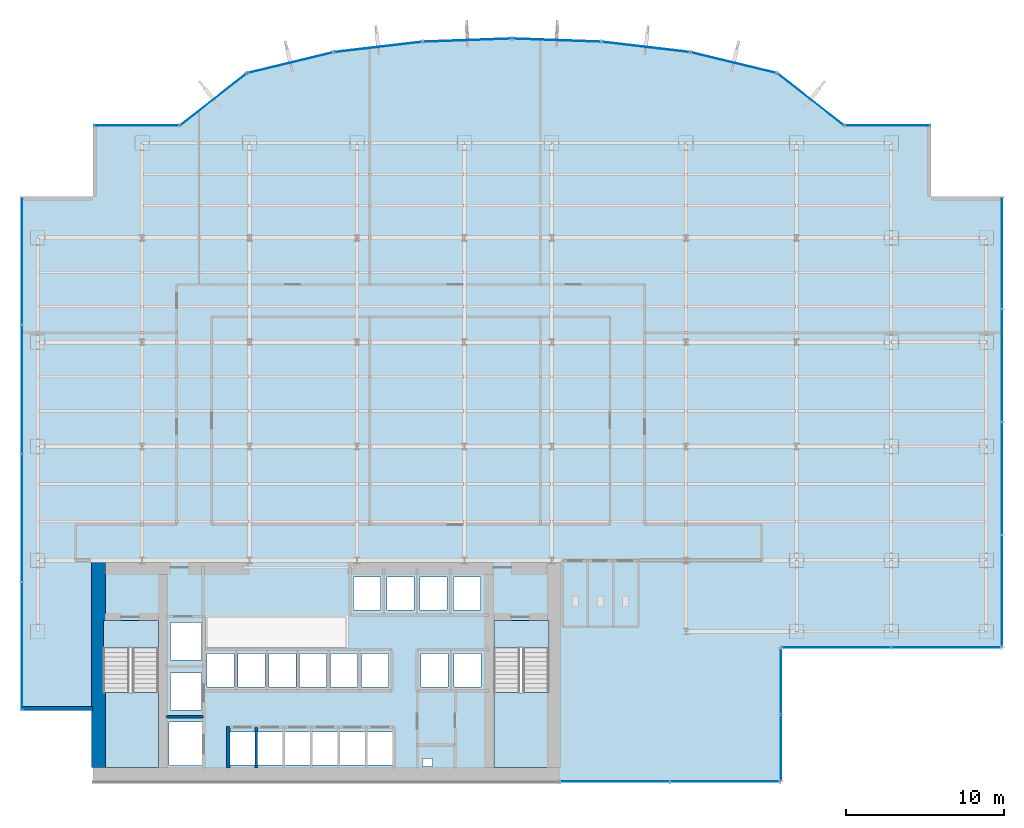
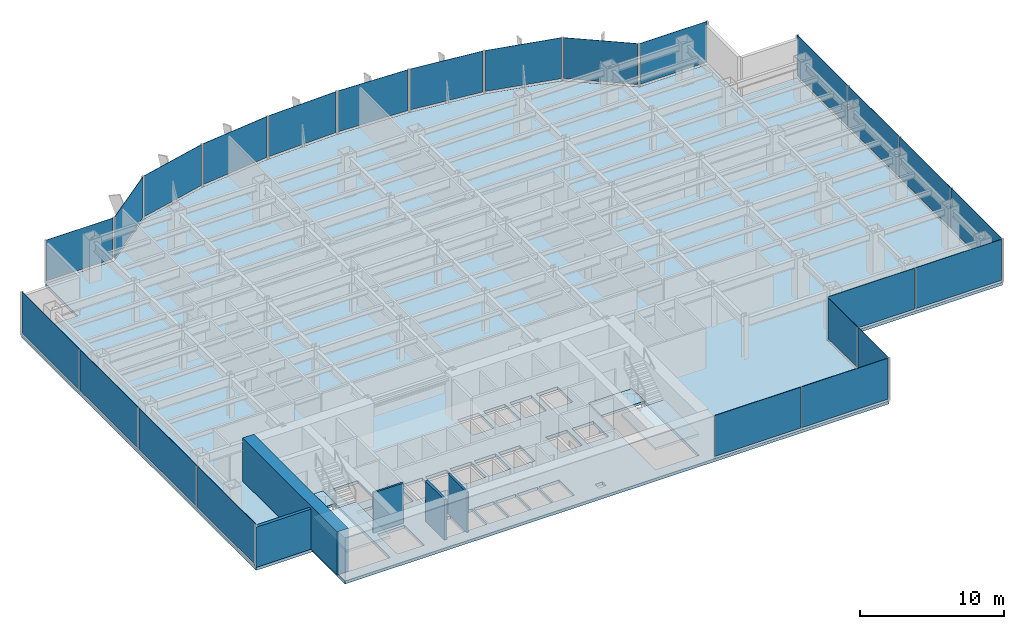
# One storey, part 16 of 22: 24 plates, 5 slabs, 5 walls, 17 elements without a shape of their own.
"""IFC4 building model written with IfcOpenShell, lengths in metres."""

from ifc_helpers import new_model, si_unit, derived_unit, direction, frame, frame_2d, origin, origin_2d, place, context, subcontext, project, spatial, polyline, rectangle, outline, extrude, source, transform, mapped, material, layer, layer_set, type_object, element, aggregate, save


model = new_model("IFC4")

# Units and contexts
model_context = context("Model", 3, precision=1e-05, world=origin(), true_north=direction((0.0, 1.0)))
body_context = subcontext(model_context, "Body", "Model", "MODEL_VIEW")
ifc_project = project(units=[si_unit("LENGTHUNIT", "METRE"), si_unit("AREAUNIT", "SQUARE_METRE"), si_unit("VOLUMEUNIT", "CUBIC_METRE"), si_unit("PLANEANGLEUNIT", "RADIAN"), si_unit("MASSUNIT", "GRAM", prefix="KILO"), derived_unit("THERMALTRANSMITTANCEUNIT", [(si_unit("POWERUNIT", "WATT"), 1), (si_unit("LENGTHUNIT", "METRE"), -2), (si_unit("THERMODYNAMICTEMPERATUREUNIT", "KELVIN"), -1)])], contexts=[model_context])

# Site, building, storey
site_placement = place(None, origin())
site = spatial("IfcSite", under=ifc_project, at=site_placement, CompositionType="ELEMENT")
building_placement = place(site_placement, origin())
building = spatial("IfcBuilding", under=site, at=building_placement, Name="Skarnbrae Concourse Arena and Tower", CompositionType="ELEMENT")
storey_placement = place(building_placement, frame((0.0, 0.0, 36.14990234375)))
storey = spatial("IfcBuildingStorey", under=building, at=storey_placement, Name="L07", CompositionType="ELEMENT", Elevation=36.14990234375)

# Stair, slab
ifc_material_1 = material(Name="Concrete 40 MPa (C40/50)", Category="concrete")
stair_type = type_object("IfcStairType", Name="STAIR-DOGLEG-1650", PredefinedType="HALF_TURN_STAIR", material=ifc_material_1)
stair_1_placement = place(storey_placement, origin())
stair_1 = element("IfcStair", 1, at=stair_1_placement, inside=storey, type_object=stair_type, Name="L07 Protected Exit Stair ST-1", PredefinedType="HALF_TURN_STAIR")
ifc_layer_1 = layer(ifc_material_1, 0.199951171875)
ifc_layer_set_1 = layer_set([ifc_layer_1], Name="Concrete 40 MPa (C40/50)")
slab_type_1 = type_object("IfcSlabType", Name="SLAB-LANDING-200", PredefinedType="LANDING", material=ifc_layer_set_1)
slab_1_placement = place(storey_placement, frame((0.0, 0.0, 1.625)))
slab_1 = element("IfcSlab", 2, at=slab_1_placement, type_object=slab_type_1, Name="ST-1 landing 1", PredefinedType="LANDING", context=body_context, shape_type="SweptSolid", body=[
    extrude(outline(polyline([(5.14990234375, 5.64990234375), (5.14990234375, 0.89990234375), (8.64990234375, 0.89990234375), (8.64990234375, 5.64990234375), (5.14990234375, 5.64990234375)])), origin(), (0.0, 0.0, 1.0), 0.2001953125),
])
aggregate(stair_1, [slab_1])

stair_2_placement = place(storey_placement, origin())
stair_2 = element("IfcStair", 3, at=stair_2_placement, inside=storey, type_object=stair_type, Name="L07 Protected Exit Stair ST-2", PredefinedType="HALF_TURN_STAIR")
slab_2_placement = place(storey_placement, frame((0.0, 0.0, 1.625)))
slab_2 = element("IfcSlab", 4, at=slab_2_placement, type_object=slab_type_1, Name="ST-2 landing 1", PredefinedType="LANDING", context=body_context, shape_type="SweptSolid", body=[
    extrude(outline(polyline([(29.85009765625, 5.64990234375), (29.85009765625, 0.89990234375), (33.35009765625, 0.89990234375), (33.35009765625, 5.64990234375), (29.85009765625, 5.64990234375)])), origin(), (0.0, 0.0, 1.0), 0.2001953125),
])
aggregate(stair_2, [slab_2])

# Slabs
slab_3_placement = place(storey_placement, frame((0.0, 0.0, -0.199951171875)))
element("IfcSlab", 5, at=slab_3_placement, inside=storey, type_object=slab_type_1, Name="L07 Core stair ST1 floor landing", PredefinedType="LANDING", context=body_context, shape_type="SweptSolid", body=[
    extrude(outline(polyline([(5.14990234375, 10.199951171875), (5.14990234375, 8.449951171875), (8.64990234375, 8.449951171875), (8.64990234375, 10.199951171875), (5.14990234375, 10.199951171875)])), origin(), (0.0, 0.0, 1.0), 0.199951171875),
])
slab_4_placement = place(storey_placement, frame((0.0, 0.0, -0.199951171875)))
element("IfcSlab", 6, at=slab_4_placement, inside=storey, type_object=slab_type_1, Name="L07 Core stair ST2 floor landing", PredefinedType="LANDING", context=body_context, shape_type="SweptSolid", body=[
    extrude(outline(polyline([(29.85009765625, 10.199951171875), (29.85009765625, 8.449951171875), (33.35009765625, 8.449951171875), (33.35009765625, 10.199951171875), (29.85009765625, 10.199951171875)])), origin(), (0.0, 0.0, 1.0), 0.199951171875),
])
ifc_layer_2 = layer(ifc_material_1, 0.25)
ifc_layer_set_2 = layer_set([ifc_layer_2], Name="Concrete 40 MPa (C40/50)")
slab_type_2 = type_object("IfcSlabType", Name="SLAB-TOWER-250", PredefinedType="FLOOR", material=ifc_layer_set_2)
slab_5_placement = place(storey_placement, frame((0.0, 0.0, -0.25)))
element("IfcSlab", 7, at=slab_5_placement, inside=storey, type_object=slab_type_2, Name="L07 Structural floor slab", PredefinedType="FLOOR", context=body_context, shape_type="SweptSolid", body=[
    extrude(outline(polyline([(4.5, 0.0), (48.0, 0.0), (48.0, 8.5), (62.0, 8.5), (62.0, 37.0), (57.5, 37.0), (57.5, 41.5), (52.0, 41.5), (47.766357421875, 44.811767578125), (42.2724609375, 46.140380859375), (36.65380859375, 46.796875), (31.0, 47.0), (25.34619140625, 46.796875), (19.7275390625, 46.140380859375), (14.233642578125, 44.811767578125), (10.0, 41.5), (4.5, 41.5), (4.5, 37.0), (0.0, 37.0), (0.0, 4.5), (4.5, 4.5), (4.5, 0.0)]), holes=[polyline([(13.14501953125, 3.155029296875), (14.7548828125, 3.155029296875), (14.7548828125, 1.044921875), (13.14501953125, 1.044921875), (13.14501953125, 3.155029296875)]), polyline([(16.4951171875, 3.155029296875), (16.4951171875, 1.044921875), (14.885009765625, 1.044921875), (14.885009765625, 3.155029296875), (16.4951171875, 3.155029296875)]), polyline([(18.235107421875, 3.155029296875), (18.235107421875, 1.044921875), (16.625, 1.044921875), (16.625, 3.155029296875), (18.235107421875, 3.155029296875)]), polyline([(18.364990234375, 3.155029296875), (19.97509765625, 3.155029296875), (19.97509765625, 1.044921875), (18.364990234375, 1.044921875), (18.364990234375, 3.155029296875)]), polyline([(11.455078125, 3.780029296875), (11.455078125, 1.02001953125), (9.294921875, 1.02001953125), (9.294921875, 3.780029296875), (11.455078125, 3.780029296875)]), polyline([(8.64990234375, 0.89990234375), (5.14990234375, 0.89990234375), (5.14990234375, 10.199951171875), (8.64990234375, 10.199951171875), (8.64990234375, 0.89990234375)]), polyline([(9.39501953125, 6.8798828125), (11.35498046875, 6.8798828125), (11.35498046875, 4.52001953125), (9.39501953125, 4.52001953125), (9.39501953125, 6.8798828125)]), polyline([(13.429931640625, 8.10498046875), (13.429931640625, 5.9951171875), (11.719970703125, 5.9951171875), (11.719970703125, 8.10498046875), (13.429931640625, 8.10498046875)]), polyline([(15.3798828125, 8.10498046875), (15.3798828125, 5.9951171875), (13.669921875, 5.9951171875), (13.669921875, 8.10498046875), (15.3798828125, 8.10498046875)]), polyline([(15.6201171875, 8.10498046875), (17.330078125, 8.10498046875), (17.330078125, 5.9951171875), (15.6201171875, 5.9951171875), (15.6201171875, 8.10498046875)]), polyline([(19.280029296875, 8.10498046875), (19.280029296875, 5.9951171875), (17.570068359375, 5.9951171875), (17.570068359375, 8.10498046875), (19.280029296875, 8.10498046875)]), polyline([(11.35498046875, 10.054931640625), (11.35498046875, 7.695068359375), (9.39501953125, 7.695068359375), (9.39501953125, 10.054931640625), (11.35498046875, 10.054931640625)]), polyline([(25.35009765625, 1.449951171875), (25.9599609375, 1.449951171875), (25.9599609375, 0.949951171875), (25.35009765625, 0.949951171875), (25.35009765625, 1.449951171875)]), polyline([(21.715087890625, 3.155029296875), (21.715087890625, 1.044921875), (20.10498046875, 1.044921875), (20.10498046875, 3.155029296875), (21.715087890625, 3.155029296875)]), polyline([(23.455078125, 3.155029296875), (23.455078125, 1.044921875), (21.844970703125, 1.044921875), (21.844970703125, 3.155029296875), (23.455078125, 3.155029296875)]), polyline([(33.35009765625, 10.199951171875), (33.35009765625, 0.89990234375), (29.85009765625, 0.89990234375), (29.85009765625, 10.199951171875), (33.35009765625, 10.199951171875)]), polyline([(21.22998046875, 8.10498046875), (21.22998046875, 5.9951171875), (19.52001953125, 5.9951171875), (19.52001953125, 8.10498046875), (21.22998046875, 8.10498046875)]), polyline([(23.179931640625, 8.10498046875), (23.179931640625, 5.9951171875), (21.469970703125, 5.9951171875), (21.469970703125, 8.10498046875), (23.179931640625, 8.10498046875)]), polyline([(25.235107421875, 8.10498046875), (26.945068359375, 8.10498046875), (26.945068359375, 5.9951171875), (25.235107421875, 5.9951171875), (25.235107421875, 8.10498046875)]), polyline([(29.044921875, 8.10498046875), (29.044921875, 5.9951171875), (27.3349609375, 5.9951171875), (27.3349609375, 8.10498046875), (29.044921875, 8.10498046875)]), polyline([(22.695068359375, 12.955078125), (22.695068359375, 10.844970703125), (20.985107421875, 10.844970703125), (20.985107421875, 12.955078125), (22.695068359375, 12.955078125)]), polyline([(23.0849609375, 12.955078125), (24.794921875, 12.955078125), (24.794921875, 10.844970703125), (23.0849609375, 10.844970703125), (23.0849609375, 12.955078125)]), polyline([(26.89501953125, 12.955078125), (26.89501953125, 10.844970703125), (25.18505859375, 10.844970703125), (25.18505859375, 12.955078125), (26.89501953125, 12.955078125)]), polyline([(28.9951171875, 12.955078125), (28.9951171875, 10.844970703125), (27.284912109375, 10.844970703125), (27.284912109375, 12.955078125), (28.9951171875, 12.955078125)])]), origin(), (0.0, 0.0, 1.0), 0.25),
])

# Curtain wall, plates
ifc_material_2 = material(Name="Bronze anodised aluminium 6063-T6", Category="aluminium")
curtain_wall_type = type_object("IfcCurtainWallType", Name="CW-SYS-02-LOWZONE", PredefinedType="USERDEFINED", material=ifc_material_2)
curtain_wall_1_placement = place(storey_placement, origin())
curtain_wall_1 = element("IfcCurtainWall", 8, at=curtain_wall_1_placement, inside=storey, type_object=curtain_wall_type, Name="L07 Unitised curtain wall CW-L07-SE-SPINE", ObjectType="UNITISED CURTAIN WALL", PredefinedType="USERDEFINED")
ifc_material_3 = material(Name="Low-E triple insulating glass", Category="glass")
ifc_layer_3 = layer(ifc_material_3, 0.031982421875)
ifc_layer_set_3 = layer_set([ifc_layer_3], Name="Low-E triple insulating glass")
plate_type = type_object("IfcPlateType", Name="CWP-CW-02", PredefinedType="CURTAIN_PANEL", material=ifc_layer_set_3)
shared_shape_1 = source(origin(), body_context, "Body", "SweptSolid", [
    extrude(rectangle(XDim=6.8798828125, YDim=0.031982421875, at=origin_2d()), origin(), (0.0, 0.0, 1.0), 3.4599609375),
])
plate_1_placement = place(storey_placement, frame((37.52001953125, 0.0, 0.190185546875), z_axis=(0.0, 0.0, 1.0), x_axis=(1.0, 0.0, 0.0)))
plate_1 = element("IfcPlate", 9, at=plate_1_placement, type_object=plate_type, Name="CW-L07-SE-SPINE Low-E Glazing Panel 1", PredefinedType="CURTAIN_PANEL", context=body_context, shape_type="MappedRepresentation", body=[
    mapped(shared_shape_1, transform((0.0, 0.0, 0.0))),
])
plate_2_placement = place(storey_placement, frame((44.47998046875, 0.0, 0.190185546875), z_axis=(0.0, 0.0, 1.0), x_axis=(1.0, 0.0, 0.0)))
plate_2 = element("IfcPlate", 10, at=plate_2_placement, type_object=plate_type, Name="CW-L07-SE-SPINE Low-E Glazing Panel 2", PredefinedType="CURTAIN_PANEL", context=body_context, shape_type="MappedRepresentation", body=[
    mapped(shared_shape_1, transform((0.0, 0.0, 0.0))),
])
aggregate(curtain_wall_1, [plate_1, plate_2])

curtain_wall_2_placement = place(storey_placement, origin())
curtain_wall_2 = element("IfcCurtainWall", 11, at=curtain_wall_2_placement, inside=storey, type_object=curtain_wall_type, Name="L07 Unitised curtain wall CW-L07-E03", ObjectType="UNITISED CURTAIN WALL", PredefinedType="USERDEFINED")
plate_3_placement = place(storey_placement, frame((51.52001953125, 8.5, 0.190185546875), z_axis=(0.0, 0.0, 1.0), x_axis=(1.0, 0.0, 0.0)))
plate_3 = element("IfcPlate", 12, at=plate_3_placement, type_object=plate_type, Name="CW-L07-E03 Low-E Glazing Panel 1", PredefinedType="CURTAIN_PANEL", context=body_context, shape_type="MappedRepresentation", body=[
    mapped(shared_shape_1, transform((0.0, 0.0, 0.0))),
])
plate_4_placement = place(storey_placement, frame((58.47998046875, 8.5, 0.190185546875), z_axis=(0.0, 0.0, 1.0), x_axis=(1.0, 0.0, 0.0)))
plate_4 = element("IfcPlate", 13, at=plate_4_placement, type_object=plate_type, Name="CW-L07-E03 Low-E Glazing Panel 2", PredefinedType="CURTAIN_PANEL", context=body_context, shape_type="MappedRepresentation", body=[
    mapped(shared_shape_1, transform((0.0, 0.0, 0.0))),
])
aggregate(curtain_wall_2, [plate_3, plate_4])

curtain_wall_3_placement = place(storey_placement, origin())
curtain_wall_3 = element("IfcCurtainWall", 14, at=curtain_wall_3_placement, inside=storey, type_object=curtain_wall_type, Name="L07 Unitised curtain wall CW-L07-E02", ObjectType="UNITISED CURTAIN WALL", PredefinedType="USERDEFINED")
shared_shape_2 = source(origin(), body_context, "Body", "SweptSolid", [
    extrude(rectangle(XDim=4.1298828125, YDim=0.031982421875, at=origin_2d()), origin(), (0.0, 0.0, 1.0), 3.4599609375),
])
plate_5_placement = place(storey_placement, frame((48.0, 2.14501953125, 0.190185546875), z_axis=(0.0, 0.0, 1.0), x_axis=(0.0, 1.0, 0.0)))
plate_5 = element("IfcPlate", 15, at=plate_5_placement, type_object=plate_type, Name="CW-L07-E02 Low-E Glazing Panel 1", PredefinedType="CURTAIN_PANEL", context=body_context, shape_type="MappedRepresentation", body=[
    mapped(shared_shape_2, transform((0.0, 0.0, 0.0))),
])
plate_6_placement = place(storey_placement, frame((48.0, 6.35498046875, 0.190185546875), z_axis=(0.0, 0.0, 1.0), x_axis=(0.0, 1.0, 0.0)))
plate_6 = element("IfcPlate", 16, at=plate_6_placement, type_object=plate_type, Name="CW-L07-E02 Low-E Glazing Panel 2", PredefinedType="CURTAIN_PANEL", context=body_context, shape_type="MappedRepresentation", body=[
    mapped(shared_shape_2, transform((0.0, 0.0, 0.0))),
])
aggregate(curtain_wall_3, [plate_5, plate_6])

curtain_wall_4_placement = place(storey_placement, origin())
curtain_wall_4 = element("IfcCurtainWall", 17, at=curtain_wall_4_placement, inside=storey, type_object=curtain_wall_type, Name="L07 Unitised curtain wall CW-L07-E04", ObjectType="UNITISED CURTAIN WALL", PredefinedType="USERDEFINED")
shared_shape_3 = source(origin(), body_context, "Body", "SweptSolid", [
    extrude(rectangle(XDim=7.0048828125, YDim=0.031982421875, at=origin_2d()), origin(), (0.0, 0.0, 1.0), 3.4599609375),
])
plate_7_placement = place(storey_placement, frame((62.0, 12.08251953125, 0.190185546875), z_axis=(0.0, 0.0, 1.0), x_axis=(0.0, 1.0, 0.0)))
plate_7 = element("IfcPlate", 18, at=plate_7_placement, type_object=plate_type, Name="CW-L07-E04 Low-E Glazing Panel 1", PredefinedType="CURTAIN_PANEL", context=body_context, shape_type="MappedRepresentation", body=[
    mapped(shared_shape_3, transform((0.0, 0.0, 0.0))),
])
plate_8_placement = place(storey_placement, frame((62.0, 33.41748046875, 0.190185546875), z_axis=(0.0, 0.0, 1.0), x_axis=(0.0, 1.0, 0.0)))
plate_8 = element("IfcPlate", 19, at=plate_8_placement, type_object=plate_type, Name="CW-L07-E04 Low-E Glazing Panel 4", PredefinedType="CURTAIN_PANEL", context=body_context, shape_type="MappedRepresentation", body=[
    mapped(shared_shape_3, transform((0.0, 0.0, 0.0))),
])
shared_shape_4 = source(origin(), body_context, "Body", "SweptSolid", [
    extrude(rectangle(XDim=7.044921875, YDim=0.031982421875, at=origin_2d()), origin(), (0.0, 0.0, 1.0), 3.4599609375),
])
plate_9_placement = place(storey_placement, frame((62.0, 19.1875, 0.190185546875), z_axis=(0.0, 0.0, 1.0), x_axis=(0.0, 1.0, 0.0)))
plate_9 = element("IfcPlate", 20, at=plate_9_placement, type_object=plate_type, Name="CW-L07-E04 Low-E Glazing Panel 2", PredefinedType="CURTAIN_PANEL", context=body_context, shape_type="MappedRepresentation", body=[
    mapped(shared_shape_4, transform((0.0, 0.0, 0.0))),
])
plate_10_placement = place(storey_placement, frame((62.0, 26.3125, 0.190185546875), z_axis=(0.0, 0.0, 1.0), x_axis=(0.0, 1.0, 0.0)))
plate_10 = element("IfcPlate", 21, at=plate_10_placement, type_object=plate_type, Name="CW-L07-E04 Low-E Glazing Panel 3", PredefinedType="CURTAIN_PANEL", context=body_context, shape_type="MappedRepresentation", body=[
    mapped(shared_shape_4, transform((0.0, 0.0, 0.0))),
])
aggregate(curtain_wall_4, [plate_7, plate_9, plate_10, plate_8])

# Curtain wall, plate
curtain_wall_5_placement = place(storey_placement, origin())
curtain_wall_5 = element("IfcCurtainWall", 22, at=curtain_wall_5_placement, inside=storey, type_object=curtain_wall_type, Name="L07 Unitised curtain wall CW-L07-E07", ObjectType="UNITISED CURTAIN WALL", PredefinedType="USERDEFINED")
shared_shape_5 = source(origin(), body_context, "Body", "SweptSolid", [
    extrude(rectangle(XDim=5.340087890625, YDim=0.031982421875, at=origin_2d()), origin(), (0.0, 0.0, 1.0), 3.4599609375),
])
plate_11_placement = place(storey_placement, frame((54.75, 41.5, 0.190185546875), z_axis=(0.0, 0.0, 1.0), x_axis=(-1.0, 0.0, 0.0)))
plate_11 = element("IfcPlate", 23, at=plate_11_placement, type_object=plate_type, Name="CW-L07-E07 Low-E Glazing Panel 1", PredefinedType="CURTAIN_PANEL", context=body_context, shape_type="MappedRepresentation", body=[
    mapped(shared_shape_5, transform((0.0, 0.0, 0.0))),
])
aggregate(curtain_wall_5, [plate_11])

curtain_wall_6_placement = place(storey_placement, origin())
curtain_wall_6 = element("IfcCurtainWall", 24, at=curtain_wall_6_placement, inside=storey, type_object=curtain_wall_type, Name="L07 Unitised curtain wall CW-L07-E16", ObjectType="UNITISED CURTAIN WALL", PredefinedType="USERDEFINED")
plate_12_placement = place(storey_placement, frame((7.25, 41.5, 0.190185546875), z_axis=(0.0, 0.0, 1.0), x_axis=(-1.0, 0.0, 0.0)))
plate_12 = element("IfcPlate", 25, at=plate_12_placement, type_object=plate_type, Name="CW-L07-E16 Low-E Glazing Panel 1", PredefinedType="CURTAIN_PANEL", context=body_context, shape_type="MappedRepresentation", body=[
    mapped(shared_shape_5, transform((0.0, 0.0, 0.0))),
])
aggregate(curtain_wall_6, [plate_12])

curtain_wall_7_placement = place(storey_placement, origin())
curtain_wall_7 = element("IfcCurtainWall", 26, at=curtain_wall_7_placement, inside=storey, type_object=curtain_wall_type, Name="L07 Unitised curtain wall CW-L07-E08", ObjectType="UNITISED CURTAIN WALL", PredefinedType="USERDEFINED")
shared_shape_6 = source(origin(), body_context, "Body", "SweptSolid", [
    extrude(rectangle(XDim=5.215087890625, YDim=0.031982421875, at=origin_2d()), origin(), (0.0, 0.0, 1.0), 3.4599609375),
])
plate_13_placement = place(storey_placement, frame((49.88330078125, 43.156005859375, 0.190185546875), z_axis=(0.0, 0.0, 1.0), x_axis=(-0.787651726054, 0.616120733658, 0.0)))
plate_13 = element("IfcPlate", 27, at=plate_13_placement, type_object=plate_type, Name="CW-L07-E08 Low-E Glazing Panel 1", PredefinedType="CURTAIN_PANEL", context=body_context, shape_type="MappedRepresentation", body=[
    mapped(shared_shape_6, transform((0.0, 0.0, 0.0))),
])
aggregate(curtain_wall_7, [plate_13])

curtain_wall_8_placement = place(storey_placement, origin())
curtain_wall_8 = element("IfcCurtainWall", 28, at=curtain_wall_8_placement, inside=storey, type_object=curtain_wall_type, Name="L07 Unitised curtain wall CW-L07-E15", ObjectType="UNITISED CURTAIN WALL", PredefinedType="USERDEFINED")
plate_14_placement = place(storey_placement, frame((12.11669921875, 43.156005859375, 0.190185546875), z_axis=(0.0, 0.0, 1.0), x_axis=(-0.787651726054, -0.616120733658, 0.0)))
plate_14 = element("IfcPlate", 29, at=plate_14_placement, type_object=plate_type, Name="CW-L07-E15 Low-E Glazing Panel 1", PredefinedType="CURTAIN_PANEL", context=body_context, shape_type="MappedRepresentation", body=[
    mapped(shared_shape_6, transform((0.0, 0.0, 0.0))),
])
aggregate(curtain_wall_8, [plate_14])

curtain_wall_9_placement = place(storey_placement, origin())
curtain_wall_9 = element("IfcCurtainWall", 30, at=curtain_wall_9_placement, inside=storey, type_object=curtain_wall_type, Name="L07 Unitised curtain wall CW-L07-E09", ObjectType="UNITISED CURTAIN WALL", PredefinedType="USERDEFINED")
shared_shape_7 = source(origin(), body_context, "Body", "SweptSolid", [
    extrude(rectangle(XDim=5.4921875, YDim=0.031982421875, at=origin_2d()), origin(), (0.0, 0.0, 1.0), 3.4599609375),
])
plate_15_placement = place(storey_placement, frame((45.019287109375, 45.47607421875, 0.190185546875), z_axis=(0.0, 0.0, 1.0), x_axis=(-0.971973721569, 0.235089524607, 0.0)))
plate_15 = element("IfcPlate", 31, at=plate_15_placement, type_object=plate_type, Name="CW-L07-E09 Low-E Glazing Panel 1", PredefinedType="CURTAIN_PANEL", context=body_context, shape_type="MappedRepresentation", body=[
    mapped(shared_shape_7, transform((0.0, 0.0, 0.0))),
])
aggregate(curtain_wall_9, [plate_15])

curtain_wall_10_placement = place(storey_placement, origin())
curtain_wall_10 = element("IfcCurtainWall", 32, at=curtain_wall_10_placement, inside=storey, type_object=curtain_wall_type, Name="L07 Unitised curtain wall CW-L07-E14", ObjectType="UNITISED CURTAIN WALL", PredefinedType="USERDEFINED")
plate_16_placement = place(storey_placement, frame((16.980712890625, 45.47607421875, 0.190185546875), z_axis=(0.0, 0.0, 1.0), x_axis=(-0.971973721569, -0.235089524607, 0.0)))
plate_16 = element("IfcPlate", 33, at=plate_16_placement, type_object=plate_type, Name="CW-L07-E14 Low-E Glazing Panel 1", PredefinedType="CURTAIN_PANEL", context=body_context, shape_type="MappedRepresentation", body=[
    mapped(shared_shape_7, transform((0.0, 0.0, 0.0))),
])
aggregate(curtain_wall_10, [plate_16])

curtain_wall_11_placement = place(storey_placement, origin())
curtain_wall_11 = element("IfcCurtainWall", 34, at=curtain_wall_11_placement, inside=storey, type_object=curtain_wall_type, Name="L07 Unitised curtain wall CW-L07-E10", ObjectType="UNITISED CURTAIN WALL", PredefinedType="USERDEFINED")
shared_shape_8 = source(origin(), body_context, "Body", "SweptSolid", [
    extrude(rectangle(XDim=5.49658203125, YDim=0.031982421875, at=origin_2d()), origin(), (0.0, 0.0, 1.0), 3.4599609375),
])
plate_17_placement = place(storey_placement, frame((39.463134765625, 46.46875, 0.190185546875), z_axis=(0.0, 0.0, 1.0), x_axis=(-0.99324457001, 0.116039752435, 0.0)))
plate_17 = element("IfcPlate", 35, at=plate_17_placement, type_object=plate_type, Name="CW-L07-E10 Low-E Glazing Panel 1", PredefinedType="CURTAIN_PANEL", context=body_context, shape_type="MappedRepresentation", body=[
    mapped(shared_shape_8, transform((0.0, 0.0, 0.0))),
])
aggregate(curtain_wall_11, [plate_17])

curtain_wall_12_placement = place(storey_placement, origin())
curtain_wall_12 = element("IfcCurtainWall", 36, at=curtain_wall_12_placement, inside=storey, type_object=curtain_wall_type, Name="L07 Unitised curtain wall CW-L07-E13", ObjectType="UNITISED CURTAIN WALL", PredefinedType="USERDEFINED")
plate_18_placement = place(storey_placement, frame((22.536865234375, 46.46875, 0.190185546875), z_axis=(0.0, 0.0, 1.0), x_axis=(-0.99324457001, -0.116039752435, 0.0)))
plate_18 = element("IfcPlate", 37, at=plate_18_placement, type_object=plate_type, Name="CW-L07-E13 Low-E Glazing Panel 1", PredefinedType="CURTAIN_PANEL", context=body_context, shape_type="MappedRepresentation", body=[
    mapped(shared_shape_8, transform((0.0, 0.0, 0.0))),
])
aggregate(curtain_wall_12, [plate_18])

curtain_wall_13_placement = place(storey_placement, origin())
curtain_wall_13 = element("IfcCurtainWall", 38, at=curtain_wall_13_placement, inside=storey, type_object=curtain_wall_type, Name="L07 Unitised curtain wall CW-L07-E11", ObjectType="UNITISED CURTAIN WALL", PredefinedType="USERDEFINED")
shared_shape_9 = source(origin(), body_context, "Body", "SweptSolid", [
    extrude(rectangle(XDim=5.49755859375, YDim=0.031982421875, at=origin_2d()), origin(), (0.0, 0.0, 1.0), 3.4599609375),
])
plate_19_placement = place(storey_placement, frame((33.826904296875, 46.8984375, 0.190185546875), z_axis=(0.0, 0.0, 1.0), x_axis=(-0.999355425188, 0.035898943527, 0.0)))
plate_19 = element("IfcPlate", 39, at=plate_19_placement, type_object=plate_type, Name="CW-L07-E11 Low-E Glazing Panel 1", PredefinedType="CURTAIN_PANEL", context=body_context, shape_type="MappedRepresentation", body=[
    mapped(shared_shape_9, transform((0.0, 0.0, 0.0))),
])
aggregate(curtain_wall_13, [plate_19])

curtain_wall_14_placement = place(storey_placement, origin())
curtain_wall_14 = element("IfcCurtainWall", 40, at=curtain_wall_14_placement, inside=storey, type_object=curtain_wall_type, Name="L07 Unitised curtain wall CW-L07-E12", ObjectType="UNITISED CURTAIN WALL", PredefinedType="USERDEFINED")
plate_20_placement = place(storey_placement, frame((28.173095703125, 46.8984375, 0.190185546875), z_axis=(0.0, 0.0, 1.0), x_axis=(-0.999355425188, -0.035898943527, 0.0)))
plate_20 = element("IfcPlate", 41, at=plate_20_placement, type_object=plate_type, Name="CW-L07-E12 Low-E Glazing Panel 1", PredefinedType="CURTAIN_PANEL", context=body_context, shape_type="MappedRepresentation", body=[
    mapped(shared_shape_9, transform((0.0, 0.0, 0.0))),
])
aggregate(curtain_wall_14, [plate_20])

# Curtain wall, plates
curtain_wall_15_placement = place(storey_placement, origin())
curtain_wall_15 = element("IfcCurtainWall", 42, at=curtain_wall_15_placement, inside=storey, type_object=curtain_wall_type, Name="L07 Unitised curtain wall CW-L07-E19", ObjectType="UNITISED CURTAIN WALL", PredefinedType="USERDEFINED")
shared_shape_10 = source(origin(), body_context, "Body", "SweptSolid", [
    extrude(rectangle(XDim=8.0048828125, YDim=0.031982421875, at=origin_2d()), origin(), (0.0, 0.0, 1.0), 3.4599609375),
])
plate_21_placement = place(storey_placement, frame((0.0, 32.91748046875, 0.190185546875), z_axis=(0.0, 0.0, 1.0), x_axis=(0.0, -1.0, 0.0)))
plate_21 = element("IfcPlate", 43, at=plate_21_placement, type_object=plate_type, Name="CW-L07-E19 Low-E Glazing Panel 1", PredefinedType="CURTAIN_PANEL", context=body_context, shape_type="MappedRepresentation", body=[
    mapped(shared_shape_10, transform((0.0, 0.0, 0.0))),
])
plate_22_placement = place(storey_placement, frame((0.0, 8.58251953125, 0.190185546875), z_axis=(0.0, 0.0, 1.0), x_axis=(0.0, -1.0, 0.0)))
plate_22 = element("IfcPlate", 44, at=plate_22_placement, type_object=plate_type, Name="CW-L07-E19 Low-E Glazing Panel 4", PredefinedType="CURTAIN_PANEL", context=body_context, shape_type="MappedRepresentation", body=[
    mapped(shared_shape_10, transform((0.0, 0.0, 0.0))),
])
shared_shape_11 = source(origin(), body_context, "Body", "SweptSolid", [
    extrude(rectangle(XDim=8.044921875, YDim=0.031982421875, at=origin_2d()), origin(), (0.0, 0.0, 1.0), 3.4599609375),
])
plate_23_placement = place(storey_placement, frame((0.0, 24.8125, 0.190185546875), z_axis=(0.0, 0.0, 1.0), x_axis=(0.0, -1.0, 0.0)))
plate_23 = element("IfcPlate", 45, at=plate_23_placement, type_object=plate_type, Name="CW-L07-E19 Low-E Glazing Panel 2", PredefinedType="CURTAIN_PANEL", context=body_context, shape_type="MappedRepresentation", body=[
    mapped(shared_shape_11, transform((0.0, 0.0, 0.0))),
])
plate_24_placement = place(storey_placement, frame((0.0, 16.6875, 0.190185546875), z_axis=(0.0, 0.0, 1.0), x_axis=(0.0, -1.0, 0.0)))
plate_24 = element("IfcPlate", 46, at=plate_24_placement, type_object=plate_type, Name="CW-L07-E19 Low-E Glazing Panel 3", PredefinedType="CURTAIN_PANEL", context=body_context, shape_type="MappedRepresentation", body=[
    mapped(shared_shape_11, transform((0.0, 0.0, 0.0))),
])
aggregate(curtain_wall_15, [plate_21, plate_23, plate_24, plate_22])

# Walls
ifc_material_4 = material(Name="Concrete 70 MPa (C70/85)", Category="concrete")
ifc_layer_4 = layer(ifc_material_4, 0.89990234375)
ifc_layer_set_4 = layer_set([ifc_layer_4], Name="Concrete 70 MPa (C70/85)")
wall_type_1 = type_object("IfcWallType", Name="WALL-CORE-900-C70", PredefinedType="SHEAR", material=ifc_layer_set_4)
shared_shape_12 = source(origin(), body_context, "Body", "SweptSolid", [
    extrude(rectangle(XDim=13.10009765625, YDim=0.89990234375, at=frame_2d((6.550048828125, 0.0))), origin(), (0.0, 0.0, 1.0), 3.650146484375),
])
wall_1_placement = place(storey_placement, frame((4.85009765625, 0.89990234375, 0.0), z_axis=(0.0, 0.0, 1.0), x_axis=(0.0, 1.0, 0.0)))
element("IfcWall", 47, at=wall_1_placement, inside=storey, type_object=wall_type_1, Name="L07 Rear core shear wall CW-W", PredefinedType="SHEAR", context=body_context, shape_type="MappedRepresentation", body=[
    mapped(shared_shape_12, transform((0.0, 0.0, 0.0))),
])
ifc_material_5 = material(Name="Precast concrete 40 MPa (C40/50)", Category="concrete")
ifc_layer_5 = layer(ifc_material_5, 0.25)
ifc_layer_set_5 = layer_set([ifc_layer_5], Name="Precast concrete 40 MPa (C40/50)")
wall_type_2 = type_object("IfcWallType", Name="WALL-EXT-SPANDREL-250", PredefinedType="STANDARD", material=ifc_layer_set_5)
shared_shape_13 = source(origin(), body_context, "Body", "SweptSolid", [
    extrude(rectangle(XDim=4.5, YDim=0.25, at=frame_2d((2.25, 0.0))), origin(), (0.0, 0.0, 1.0), 3.400146484375),
])
wall_2_placement = place(storey_placement, frame((0.0, 4.625, 0.0), z_axis=(0.0, 0.0, 1.0), x_axis=(1.0, 0.0, 0.0)))
element("IfcWall", 48, at=wall_2_placement, inside=storey, type_object=wall_type_2, Name="L07 Notched corner insulated return wall 20", PredefinedType="STANDARD", context=body_context, shape_type="MappedRepresentation", body=[
    mapped(shared_shape_13, transform((0.0, 0.0, 0.0))),
])
ifc_material_6 = material(Name="Gypsum board on cold-formed steel studs", Category="steel")
ifc_layer_6 = layer(ifc_material_6, 0.14990234375)
ifc_layer_set_6 = layer_set([ifc_layer_6], Name="Gypsum board on cold-formed steel studs")
wall_type_3 = type_object("IfcWallType", Name="WALL-PART-150", PredefinedType="PARTITIONING", material=ifc_layer_set_6)
shared_shape_14 = source(origin(), body_context, "Body", "SweptSolid", [
    extrude(rectangle(XDim=2.39990234375, YDim=0.14990234375, at=frame_2d((1.199951171875, 0.0))), origin(), (0.0, 0.0, 1.0), 3.400146484375),
])
wall_3_placement = place(storey_placement, frame((9.10009765625, 4.10009765625, 0.0), z_axis=(0.0, 0.0, 1.0), x_axis=(1.0, 0.0, 0.0)))
element("IfcWall", 49, at=wall_3_placement, inside=storey, type_object=wall_type_3, Name="L07 Interior partition wall W-L07-FL-D1", PredefinedType="PARTITIONING", context=body_context, shape_type="MappedRepresentation", body=[
    mapped(shared_shape_14, transform((0.0, 0.0, 0.0))),
])
ifc_layer_7 = layer(ifc_material_6, 0.199951171875)
ifc_layer_set_7 = layer_set([ifc_layer_7], Name="Gypsum board on cold-formed steel studs")
wall_type_4 = type_object("IfcWallType", Name="WALL-PART-200-2HR", PredefinedType="PARTITIONING", material=ifc_layer_set_7)
shared_shape_15 = source(origin(), body_context, "Body", "SweptSolid", [
    extrude(rectangle(XDim=2.64990234375, YDim=0.199951171875, at=frame_2d((1.324951171875, 0.0))), origin(), (0.0, 0.0, 1.0), 3.400146484375),
])
wall_4_placement = place(storey_placement, frame((13.050048828125, 0.85009765625, 0.0), z_axis=(0.0, 0.0, 1.0), x_axis=(0.0, 1.0, 0.0)))
element("IfcWall", 50, at=wall_4_placement, inside=storey, type_object=wall_type_4, Name="L07 Interior partition wall W-L07-B1-W", PredefinedType="PARTITIONING", context=body_context, shape_type="MappedRepresentation", body=[
    mapped(shared_shape_15, transform((0.0, 0.0, 0.0))),
])
shared_shape_16 = source(origin(), body_context, "Body", "SweptSolid", [
    extrude(rectangle(XDim=2.599853515625, YDim=0.14990234375, at=frame_2d((1.2998046875, 0.0))), origin(), (0.0, 0.0, 1.0), 3.400146484375),
])
wall_5_placement = place(storey_placement, frame((14.820068359375, 0.85009765625, 0.0), z_axis=(0.0, 0.0, 1.0), x_axis=(0.0, 1.0, 0.0)))
element("IfcWall", 51, at=wall_5_placement, inside=storey, type_object=wall_type_3, Name="L07 Interior partition wall W-L07-B1-P1", PredefinedType="PARTITIONING", context=body_context, shape_type="MappedRepresentation", body=[
    mapped(shared_shape_16, transform((0.0, 0.0, 0.0))),
])

save(model, "model.ifc")
